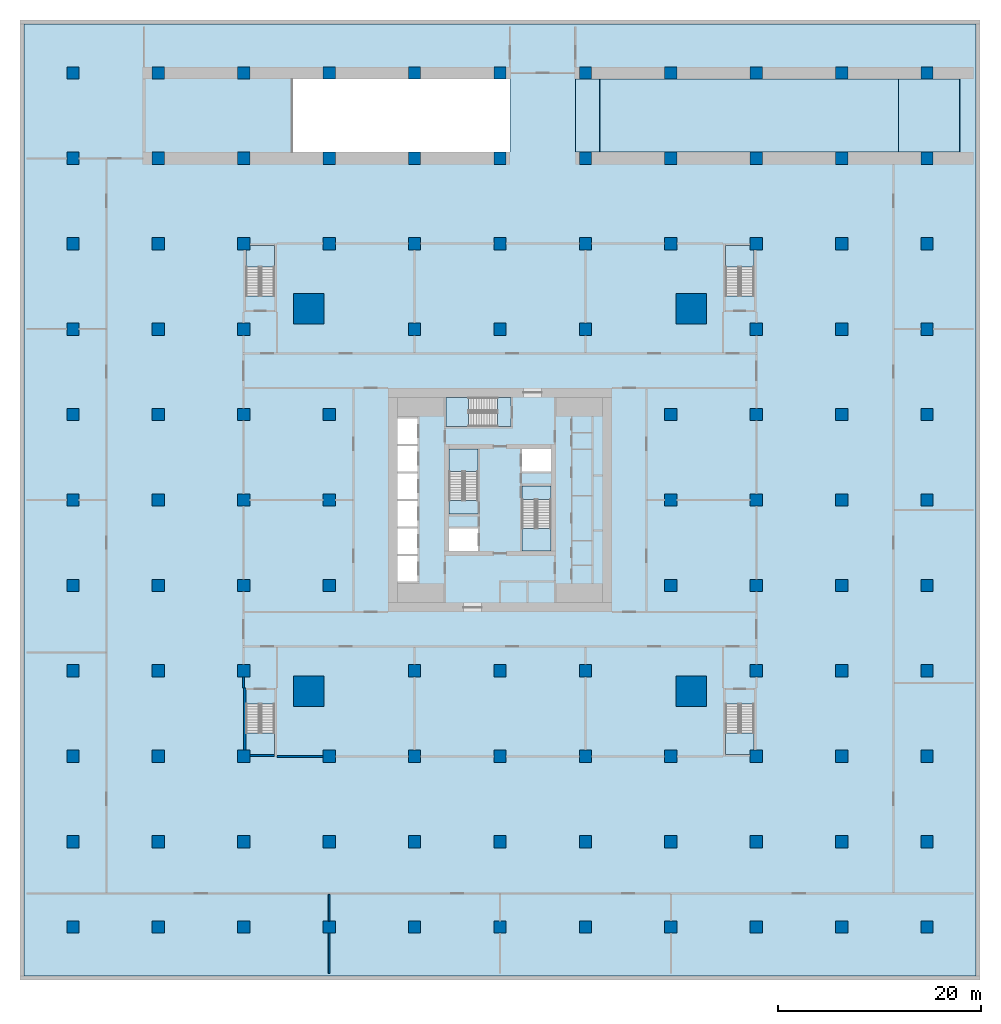
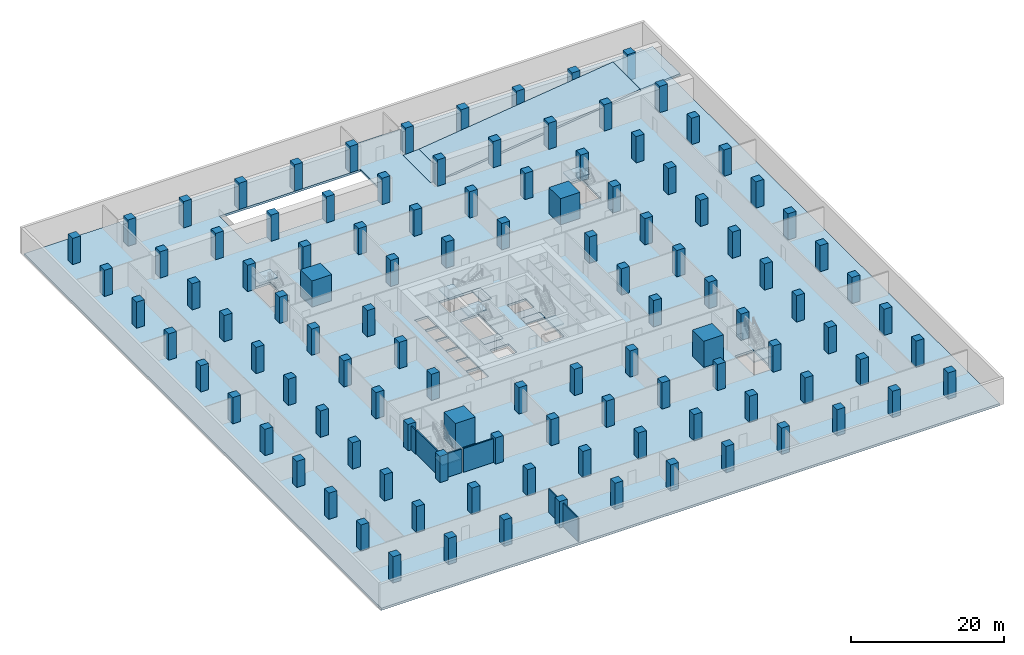
# One storey, part 1 of 16: 112 columns, 14 slabs, 6 walls, 7 elements without a shape of their own.
"""IFC4 building model written with IfcOpenShell, lengths in metres."""

from ifc_helpers import new_model, si_unit, direction, frame, frame_2d, origin, origin_2d, place, context, subcontext, project, spatial, polyline, rectangle, outline, extrude, material, layer, layer_set, material_profile, profile_set, type_object, element, aggregate, save


model = new_model("IFC4")

# Units and contexts
model_context = context("Model", 3, precision=1e-05, world=origin(), true_north=direction((0.0, 1.0)))
body_context = subcontext(model_context, "Body", "Model", "MODEL_VIEW")
ifc_project = project(units=[si_unit("LENGTHUNIT", "METRE"), si_unit("AREAUNIT", "SQUARE_METRE"), si_unit("VOLUMEUNIT", "CUBIC_METRE"), si_unit("PLANEANGLEUNIT", "RADIAN"), si_unit("MASSUNIT", "GRAM", prefix="KILO")], contexts=[model_context])

# Site, building, storey
site_placement = place(None, origin())
site = spatial("IfcSite", under=ifc_project, at=site_placement, CompositionType="ELEMENT")
building_placement = place(site_placement, origin())
building = spatial("IfcBuilding", under=site, at=building_placement, Name="Khepri Terraces", CompositionType="ELEMENT")
storey_placement = place(building_placement, frame((0.0, 0.0, -4.199951171875)))
storey = spatial("IfcBuildingStorey", under=building, at=storey_placement, Name="B1", CompositionType="ELEMENT", Elevation=-4.199951171875)

# Columns
ifc_material_1 = material(Name="Concrete C80/95", Category="concrete")
ifc_material_profile_1 = material_profile(ifc_material_1, rectangle(XDim=3.0, YDim=3.0, at=origin_2d()), Name="Concrete C80/95", Category="concrete")
ifc_profile_set_1 = profile_set([ifc_material_profile_1], Name="Concrete C80/95")
column_type_1 = type_object("IfcColumnType", Name="Mega column RC 3000x3000 C80/95", PredefinedType="COLUMN", material=ifc_profile_set_1)
for number, where, z_axis, x_axis, name in (
    (1, (18.800048828125, 18.800048828125, 0.0), (0.0, 0.0, 1.0), (1.0, 0.0, 0.0), "Mega column MEN B1"),
    (2, (18.800048828125, -18.800048828125, 0.0), (0.0, 0.0, 1.0), (1.0, 0.0, 0.0), "Mega column MES B1"),
    (3, (-18.800048828125, 18.800048828125, 0.0), (0.0, 0.0, 1.0), (1.0, 0.0, 0.0), "Mega column MWN B1"),
    (4, (-18.800048828125, -18.800048828125, 0.0), (0.0, 0.0, 1.0), (1.0, 0.0, 0.0), "Mega column MWS B1"),
):
    element("IfcColumn", number, at=place(storey_placement, frame(where, z_axis=z_axis, x_axis=x_axis)), inside=storey, type_object=column_type_1, Name=name, PredefinedType="COLUMN", context=body_context, shape_type="SweptSolid", body=[
        extrude(rectangle(XDim=3.0, YDim=3.0, at=origin_2d()), origin(), (0.0, 0.0, 1.0), 4.199951171875),
    ])
ifc_material_2 = material(Name="Concrete C60/75", Category="concrete")
ifc_material_profile_2 = material_profile(ifc_material_2, rectangle(XDim=1.199951171875, YDim=1.199951171875, at=origin_2d()), Name="Concrete C60/75", Category="concrete")
ifc_profile_set_2 = profile_set([ifc_material_profile_2], Name="Concrete C60/75")
column_type_2 = type_object("IfcColumnType", Name="Podium column RC 1200x1200 C60/75", PredefinedType="COLUMN", material=ifc_profile_set_2)
for number, where, z_axis, x_axis, name in (
    (5, (0.0, 16.800048828125, 0.0), (0.0, 0.0, 1.0), (1.0, 0.0, 0.0), "Podium column G+000+168 B1"),
    (6, (0.0, 33.60009765625, 0.0), (0.0, 0.0, 1.0), (1.0, 0.0, 0.0), "Podium column G+000+336 B1"),
    (7, (0.0, 42.0, 0.0), (0.0, 0.0, 1.0), (1.0, 0.0, 0.0), "Podium column G+000+420 B1"),
    (8, (0.0, -16.800048828125, 0.0), (0.0, 0.0, 1.0), (1.0, 0.0, 0.0), "Podium column G+000-168 B1"),
    (9, (0.0, -33.60009765625, 0.0), (0.0, 0.0, 1.0), (1.0, 0.0, 0.0), "Podium column G+000-336 B1"),
    (10, (0.0, -42.0, 0.0), (0.0, 0.0, 1.0), (1.0, 0.0, 0.0), "Podium column G+000-420 B1"),
    (11, (8.39990234375, 16.800048828125, 0.0), (0.0, 0.0, 1.0), (1.0, 0.0, 0.0), "Podium column G+084+168 B1"),
    (12, (8.39990234375, 33.60009765625, 0.0), (0.0, 0.0, 1.0), (1.0, 0.0, 0.0), "Podium column G+084+336 B1"),
    (13, (8.39990234375, 42.0, 0.0), (0.0, 0.0, 1.0), (1.0, 0.0, 0.0), "Podium column G+084+420 B1"),
    (14, (8.39990234375, -16.800048828125, 0.0), (0.0, 0.0, 1.0), (1.0, 0.0, 0.0), "Podium column G+084-168 B1"),
    (15, (8.39990234375, -33.60009765625, 0.0), (0.0, 0.0, 1.0), (1.0, 0.0, 0.0), "Podium column G+084-336 B1"),
    (16, (8.39990234375, -42.0, 0.0), (0.0, 0.0, 1.0), (1.0, 0.0, 0.0), "Podium column G+084-420 B1"),
    (17, (16.800048828125, 0.0, 0.0), (0.0, 0.0, 1.0), (1.0, 0.0, 0.0), "Podium column G+168+000 B1"),
    (18, (16.800048828125, 8.39990234375, 0.0), (0.0, 0.0, 1.0), (1.0, 0.0, 0.0), "Podium column G+168+084 B1"),
    (19, (16.800048828125, 33.60009765625, 0.0), (0.0, 0.0, 1.0), (1.0, 0.0, 0.0), "Podium column G+168+336 B1"),
    (20, (16.800048828125, 42.0, 0.0), (0.0, 0.0, 1.0), (1.0, 0.0, 0.0), "Podium column G+168+420 B1"),
    (21, (16.800048828125, -8.39990234375, 0.0), (0.0, 0.0, 1.0), (1.0, 0.0, 0.0), "Podium column G+168-084 B1"),
    (22, (16.800048828125, -33.60009765625, 0.0), (0.0, 0.0, 1.0), (1.0, 0.0, 0.0), "Podium column G+168-336 B1"),
    (23, (16.800048828125, -42.0, 0.0), (0.0, 0.0, 1.0), (1.0, 0.0, 0.0), "Podium column G+168-420 B1"),
    (24, (25.199951171875, 25.199951171875, 0.0), (0.0, 0.0, 1.0), (1.0, 0.0, 0.0), "Podium column G+252+252 B1"),
    (25, (25.199951171875, 33.60009765625, 0.0), (0.0, 0.0, 1.0), (1.0, 0.0, 0.0), "Podium column G+252+336 B1"),
    (26, (25.199951171875, 42.0, 0.0), (0.0, 0.0, 1.0), (1.0, 0.0, 0.0), "Podium column G+252+420 B1"),
    (27, (25.199951171875, -25.199951171875, 0.0), (0.0, 0.0, 1.0), (1.0, 0.0, 0.0), "Podium column G+252-252 B1"),
    (28, (25.199951171875, -33.60009765625, 0.0), (0.0, 0.0, 1.0), (1.0, 0.0, 0.0), "Podium column G+252-336 B1"),
    (29, (25.199951171875, -42.0, 0.0), (0.0, 0.0, 1.0), (1.0, 0.0, 0.0), "Podium column G+252-420 B1"),
    (30, (33.60009765625, 0.0, 0.0), (0.0, 0.0, 1.0), (1.0, 0.0, 0.0), "Podium column G+336+000 B1"),
    (31, (33.60009765625, 8.39990234375, 0.0), (0.0, 0.0, 1.0), (1.0, 0.0, 0.0), "Podium column G+336+084 B1"),
    (32, (33.60009765625, 16.800048828125, 0.0), (0.0, 0.0, 1.0), (1.0, 0.0, 0.0), "Podium column G+336+168 B1"),
    (33, (33.60009765625, 25.199951171875, 0.0), (0.0, 0.0, 1.0), (1.0, 0.0, 0.0), "Podium column G+336+252 B1"),
    (34, (33.60009765625, 33.60009765625, 0.0), (0.0, 0.0, 1.0), (1.0, 0.0, 0.0), "Podium column G+336+336 B1"),
    (35, (33.60009765625, 42.0, 0.0), (0.0, 0.0, 1.0), (1.0, 0.0, 0.0), "Podium column G+336+420 B1"),
    (36, (33.60009765625, -8.39990234375, 0.0), (0.0, 0.0, 1.0), (1.0, 0.0, 0.0), "Podium column G+336-084 B1"),
    (37, (33.60009765625, -16.800048828125, 0.0), (0.0, 0.0, 1.0), (1.0, 0.0, 0.0), "Podium column G+336-168 B1"),
    (38, (33.60009765625, -25.199951171875, 0.0), (0.0, 0.0, 1.0), (1.0, 0.0, 0.0), "Podium column G+336-252 B1"),
    (39, (33.60009765625, -33.60009765625, 0.0), (0.0, 0.0, 1.0), (1.0, 0.0, 0.0), "Podium column G+336-336 B1"),
    (40, (33.60009765625, -42.0, 0.0), (0.0, 0.0, 1.0), (1.0, 0.0, 0.0), "Podium column G+336-420 B1"),
    (41, (42.0, 0.0, 0.0), (0.0, 0.0, 1.0), (1.0, 0.0, 0.0), "Podium column G+420+000 B1"),
    (42, (42.0, 8.39990234375, 0.0), (0.0, 0.0, 1.0), (1.0, 0.0, 0.0), "Podium column G+420+084 B1"),
    (43, (42.0, 16.800048828125, 0.0), (0.0, 0.0, 1.0), (1.0, 0.0, 0.0), "Podium column G+420+168 B1"),
    (44, (42.0, 25.199951171875, 0.0), (0.0, 0.0, 1.0), (1.0, 0.0, 0.0), "Podium column G+420+252 B1"),
    (45, (42.0, 33.60009765625, 0.0), (0.0, 0.0, 1.0), (1.0, 0.0, 0.0), "Podium column G+420+336 B1"),
    (46, (42.0, 42.0, 0.0), (0.0, 0.0, 1.0), (1.0, 0.0, 0.0), "Podium column G+420+420 B1"),
    (47, (42.0, -8.39990234375, 0.0), (0.0, 0.0, 1.0), (1.0, 0.0, 0.0), "Podium column G+420-084 B1"),
    (48, (42.0, -16.800048828125, 0.0), (0.0, 0.0, 1.0), (1.0, 0.0, 0.0), "Podium column G+420-168 B1"),
    (49, (42.0, -25.199951171875, 0.0), (0.0, 0.0, 1.0), (1.0, 0.0, 0.0), "Podium column G+420-252 B1"),
    (50, (42.0, -33.60009765625, 0.0), (0.0, 0.0, 1.0), (1.0, 0.0, 0.0), "Podium column G+420-336 B1"),
    (51, (42.0, -42.0, 0.0), (0.0, 0.0, 1.0), (1.0, 0.0, 0.0), "Podium column G+420-420 B1"),
    (52, (-8.39990234375, 16.800048828125, 0.0), (0.0, 0.0, 1.0), (1.0, 0.0, 0.0), "Podium column G-084+168 B1"),
    (53, (-8.39990234375, 33.60009765625, 0.0), (0.0, 0.0, 1.0), (1.0, 0.0, 0.0), "Podium column G-084+336 B1"),
    (54, (-8.39990234375, 42.0, 0.0), (0.0, 0.0, 1.0), (1.0, 0.0, 0.0), "Podium column G-084+420 B1"),
    (55, (-8.39990234375, -16.800048828125, 0.0), (0.0, 0.0, 1.0), (1.0, 0.0, 0.0), "Podium column G-084-168 B1"),
    (56, (-8.39990234375, -33.60009765625, 0.0), (0.0, 0.0, 1.0), (1.0, 0.0, 0.0), "Podium column G-084-336 B1"),
    (57, (-8.39990234375, -42.0, 0.0), (0.0, 0.0, 1.0), (1.0, 0.0, 0.0), "Podium column G-084-420 B1"),
    (58, (-16.800048828125, 0.0, 0.0), (0.0, 0.0, 1.0), (1.0, 0.0, 0.0), "Podium column G-168+000 B1"),
    (59, (-16.800048828125, 8.39990234375, 0.0), (0.0, 0.0, 1.0), (1.0, 0.0, 0.0), "Podium column G-168+084 B1"),
    (60, (-16.800048828125, 33.60009765625, 0.0), (0.0, 0.0, 1.0), (1.0, 0.0, 0.0), "Podium column G-168+336 B1"),
    (61, (-16.800048828125, 42.0, 0.0), (0.0, 0.0, 1.0), (1.0, 0.0, 0.0), "Podium column G-168+420 B1"),
    (62, (-16.800048828125, -8.39990234375, 0.0), (0.0, 0.0, 1.0), (1.0, 0.0, 0.0), "Podium column G-168-084 B1"),
    (63, (-16.800048828125, -33.60009765625, 0.0), (0.0, 0.0, 1.0), (1.0, 0.0, 0.0), "Podium column G-168-336 B1"),
    (64, (-16.800048828125, -42.0, 0.0), (0.0, 0.0, 1.0), (1.0, 0.0, 0.0), "Podium column G-168-420 B1"),
    (65, (-25.199951171875, 25.199951171875, 0.0), (0.0, 0.0, 1.0), (1.0, 0.0, 0.0), "Podium column G-252+252 B1"),
    (66, (-25.199951171875, 33.60009765625, 0.0), (0.0, 0.0, 1.0), (1.0, 0.0, 0.0), "Podium column G-252+336 B1"),
    (67, (-25.199951171875, 42.0, 0.0), (0.0, 0.0, 1.0), (1.0, 0.0, 0.0), "Podium column G-252+420 B1"),
    (68, (-25.199951171875, -25.199951171875, 0.0), (0.0, 0.0, 1.0), (1.0, 0.0, 0.0), "Podium column G-252-252 B1"),
    (69, (-25.199951171875, -33.60009765625, 0.0), (0.0, 0.0, 1.0), (1.0, 0.0, 0.0), "Podium column G-252-336 B1"),
    (70, (-25.199951171875, -42.0, 0.0), (0.0, 0.0, 1.0), (1.0, 0.0, 0.0), "Podium column G-252-420 B1"),
    (71, (-33.60009765625, 0.0, 0.0), (0.0, 0.0, 1.0), (1.0, 0.0, 0.0), "Podium column G-336+000 B1"),
    (72, (-33.60009765625, 8.39990234375, 0.0), (0.0, 0.0, 1.0), (1.0, 0.0, 0.0), "Podium column G-336+084 B1"),
    (73, (-33.60009765625, 16.800048828125, 0.0), (0.0, 0.0, 1.0), (1.0, 0.0, 0.0), "Podium column G-336+168 B1"),
    (74, (-33.60009765625, 25.199951171875, 0.0), (0.0, 0.0, 1.0), (1.0, 0.0, 0.0), "Podium column G-336+252 B1"),
    (75, (-33.60009765625, 33.60009765625, 0.0), (0.0, 0.0, 1.0), (1.0, 0.0, 0.0), "Podium column G-336+336 B1"),
    (76, (-33.60009765625, 42.0, 0.0), (0.0, 0.0, 1.0), (1.0, 0.0, 0.0), "Podium column G-336+420 B1"),
    (77, (-33.60009765625, -8.39990234375, 0.0), (0.0, 0.0, 1.0), (1.0, 0.0, 0.0), "Podium column G-336-084 B1"),
    (78, (-33.60009765625, -16.800048828125, 0.0), (0.0, 0.0, 1.0), (1.0, 0.0, 0.0), "Podium column G-336-168 B1"),
    (79, (-33.60009765625, -25.199951171875, 0.0), (0.0, 0.0, 1.0), (1.0, 0.0, 0.0), "Podium column G-336-252 B1"),
    (80, (-33.60009765625, -33.60009765625, 0.0), (0.0, 0.0, 1.0), (1.0, 0.0, 0.0), "Podium column G-336-336 B1"),
    (81, (-33.60009765625, -42.0, 0.0), (0.0, 0.0, 1.0), (1.0, 0.0, 0.0), "Podium column G-336-420 B1"),
    (82, (-42.0, 0.0, 0.0), (0.0, 0.0, 1.0), (1.0, 0.0, 0.0), "Podium column G-420+000 B1"),
    (83, (-42.0, 8.39990234375, 0.0), (0.0, 0.0, 1.0), (1.0, 0.0, 0.0), "Podium column G-420+084 B1"),
    (84, (-42.0, 16.800048828125, 0.0), (0.0, 0.0, 1.0), (1.0, 0.0, 0.0), "Podium column G-420+168 B1"),
    (85, (-42.0, 25.199951171875, 0.0), (0.0, 0.0, 1.0), (1.0, 0.0, 0.0), "Podium column G-420+252 B1"),
    (86, (-42.0, 33.60009765625, 0.0), (0.0, 0.0, 1.0), (1.0, 0.0, 0.0), "Podium column G-420+336 B1"),
    (87, (-42.0, 42.0, 0.0), (0.0, 0.0, 1.0), (1.0, 0.0, 0.0), "Podium column G-420+420 B1"),
    (88, (-42.0, -8.39990234375, 0.0), (0.0, 0.0, 1.0), (1.0, 0.0, 0.0), "Podium column G-420-084 B1"),
    (89, (-42.0, -16.800048828125, 0.0), (0.0, 0.0, 1.0), (1.0, 0.0, 0.0), "Podium column G-420-168 B1"),
    (90, (-42.0, -25.199951171875, 0.0), (0.0, 0.0, 1.0), (1.0, 0.0, 0.0), "Podium column G-420-252 B1"),
    (91, (-42.0, -33.60009765625, 0.0), (0.0, 0.0, 1.0), (1.0, 0.0, 0.0), "Podium column G-420-336 B1"),
    (92, (-42.0, -42.0, 0.0), (0.0, 0.0, 1.0), (1.0, 0.0, 0.0), "Podium column G-420-420 B1"),
):
    element("IfcColumn", number, at=place(storey_placement, frame(where, z_axis=z_axis, x_axis=x_axis)), inside=storey, type_object=column_type_2, Name=name, PredefinedType="COLUMN", context=body_context, shape_type="SweptSolid", body=[
        extrude(rectangle(XDim=1.199951171875, YDim=1.199951171875, at=origin_2d()), origin(), (0.0, 0.0, 1.0), 4.199951171875),
    ])
ifc_material_profile_3 = material_profile(ifc_material_1, rectangle(XDim=1.199951171875, YDim=1.199951171875, at=origin_2d()), Name="Concrete C80/95", Category="concrete")
ifc_profile_set_3 = profile_set([ifc_material_profile_3], Name="Concrete C80/95")
column_type_3 = type_object("IfcColumnType", Name="Tower column RC 1200x1200 C80/95", PredefinedType="COLUMN", material=ifc_profile_set_3)
for number, where, z_axis, x_axis, name in (
    (93, (25.199951171875, 0.0, 0.0), (0.0, 0.0, 1.0), (1.0, 0.0, 0.0), "Perimeter column PE+000a B1"),
    (94, (25.199951171875, 8.39990234375, 0.0), (0.0, 0.0, 1.0), (1.0, 0.0, 0.0), "Perimeter column PE+084a B1"),
    (95, (25.199951171875, 16.800048828125, 0.0), (0.0, 0.0, 1.0), (1.0, 0.0, 0.0), "Perimeter column PE+168a B1"),
    (96, (25.199951171875, -8.39990234375, 0.0), (0.0, 0.0, 1.0), (1.0, 0.0, 0.0), "Perimeter column PE-084a B1"),
    (97, (25.199951171875, -16.800048828125, 0.0), (0.0, 0.0, 1.0), (1.0, 0.0, 0.0), "Perimeter column PE-168a B1"),
    (98, (0.0, 25.199951171875, 0.0), (0.0, 0.0, 1.0), (1.0, 0.0, 0.0), "Perimeter column PN+000a B1"),
    (99, (-8.39990234375, 25.199951171875, 0.0), (0.0, 0.0, 1.0), (1.0, 0.0, 0.0), "Perimeter column PN+084a B1"),
    (100, (-16.800048828125, 25.199951171875, 0.0), (0.0, 0.0, 1.0), (1.0, 0.0, 0.0), "Perimeter column PN+168a B1"),
    (101, (8.39990234375, 25.199951171875, 0.0), (0.0, 0.0, 1.0), (1.0, 0.0, 0.0), "Perimeter column PN-084a B1"),
    (102, (16.800048828125, 25.199951171875, 0.0), (0.0, 0.0, 1.0), (1.0, 0.0, 0.0), "Perimeter column PN-168a B1"),
    (103, (0.0, -25.199951171875, 0.0), (0.0, 0.0, 1.0), (1.0, 0.0, 0.0), "Perimeter column PS+000a B1"),
    (104, (8.39990234375, -25.199951171875, 0.0), (0.0, 0.0, 1.0), (1.0, 0.0, 0.0), "Perimeter column PS+084a B1"),
    (105, (16.800048828125, -25.199951171875, 0.0), (0.0, 0.0, 1.0), (1.0, 0.0, 0.0), "Perimeter column PS+168a B1"),
    (106, (-8.39990234375, -25.199951171875, 0.0), (0.0, 0.0, 1.0), (1.0, 0.0, 0.0), "Perimeter column PS-084a B1"),
    (107, (-16.800048828125, -25.199951171875, 0.0), (0.0, 0.0, 1.0), (1.0, 0.0, 0.0), "Perimeter column PS-168a B1"),
    (108, (-25.199951171875, 0.0, 0.0), (0.0, 0.0, 1.0), (1.0, 0.0, 0.0), "Perimeter column PW+000a B1"),
    (109, (-25.199951171875, -8.39990234375, 0.0), (0.0, 0.0, 1.0), (1.0, 0.0, 0.0), "Perimeter column PW+084a B1"),
    (110, (-25.199951171875, -16.800048828125, 0.0), (0.0, 0.0, 1.0), (1.0, 0.0, 0.0), "Perimeter column PW+168a B1"),
    (111, (-25.199951171875, 8.39990234375, 0.0), (0.0, 0.0, 1.0), (1.0, 0.0, 0.0), "Perimeter column PW-084a B1"),
    (112, (-25.199951171875, 16.800048828125, 0.0), (0.0, 0.0, 1.0), (1.0, 0.0, 0.0), "Perimeter column PW-168a B1"),
):
    element("IfcColumn", number, at=place(storey_placement, frame(where, z_axis=z_axis, x_axis=x_axis)), inside=storey, type_object=column_type_3, Name=name, PredefinedType="COLUMN", context=body_context, shape_type="SweptSolid", body=[
        extrude(rectangle(XDim=1.199951171875, YDim=1.199951171875, at=origin_2d()), origin(), (0.0, 0.0, 1.0), 4.199951171875),
    ])

# Slab
ifc_material_3 = material(Name="Concrete C40/50", Category="concrete")
ifc_layer_1 = layer(ifc_material_3, 0.35009765625, Name="Concrete C40/50", Category="concrete")
ifc_layer_set_1 = layer_set([ifc_layer_1], Name="Concrete C40/50")
slab_type_1 = type_object("IfcSlabType", Name="Car park floor slab 350", PredefinedType="FLOOR", material=ifc_layer_set_1)
slab_1_placement = place(storey_placement, frame((0.0, 0.0, -0.35009765625)))
element("IfcSlab", 113, at=slab_1_placement, inside=storey, type_object=slab_type_1, Name="Floor slab F01 B1", PredefinedType="FLOOR", context=body_context, shape_type="SweptSolid", body=[
    extrude(outline(polyline([(-46.800048828125, -46.800048828125), (-46.800048828125, 46.800048828125), (46.800048828125, 46.800048828125), (46.800048828125, -46.800048828125), (-46.800048828125, -46.800048828125)]), holes=[polyline([(5.0, 5.0), (2.14990234375, 5.0), (2.14990234375, 2.800048828125), (5.0, 2.800048828125), (5.0, 5.0)]), polyline([(-2.14990234375, -5.0), (-2.14990234375, -2.800048828125), (-5.0, -2.800048828125), (-5.0, -5.0), (-2.14990234375, -5.0)]), polyline([(-10.10009765625, -8.0), (-8.10009765625, -8.0), (-8.10009765625, -5.5), (-10.10009765625, -5.5), (-10.10009765625, -8.0)]), polyline([(-10.10009765625, -2.800048828125), (-10.10009765625, -5.300048828125), (-8.10009765625, -5.300048828125), (-8.10009765625, -2.800048828125), (-10.10009765625, -2.800048828125)]), polyline([(-8.10009765625, -0.10009765625), (-10.10009765625, -0.10009765625), (-10.10009765625, -2.60009765625), (-8.10009765625, -2.60009765625), (-8.10009765625, -0.10009765625)]), polyline([(-8.10009765625, 0.10009765625), (-8.10009765625, 2.60009765625), (-10.10009765625, 2.60009765625), (-10.10009765625, 0.10009765625), (-8.10009765625, 0.10009765625)]), polyline([(-10.10009765625, 2.800048828125), (-8.10009765625, 2.800048828125), (-8.10009765625, 5.300048828125), (-10.10009765625, 5.300048828125), (-10.10009765625, 2.800048828125)]), polyline([(-10.10009765625, 8.0), (-10.10009765625, 5.5), (-8.10009765625, 5.5), (-8.10009765625, 8.0), (-10.10009765625, 8.0)]), polyline([(-2.14990234375, 5.0), (-5.0, 5.0), (-5.0, -1.39990234375), (-2.14990234375, -1.39990234375), (-2.14990234375, 5.0)]), polyline([(2.14990234375, 1.39990234375), (2.14990234375, -5.0), (5.0, -5.0), (5.0, 1.39990234375), (2.14990234375, 1.39990234375)]), polyline([(1.10009765625, 7.25), (1.10009765625, 10.10009765625), (-5.300048828125, 10.10009765625), (-5.300048828125, 7.25), (1.10009765625, 7.25)]), polyline([(25.0, 20.050537109375), (25.0, 25.0400390625), (22.14990234375, 25.0400390625), (22.14990234375, 20.050537109375), (25.0, 20.050537109375)]), polyline([(-25.0, 20.050537109375), (-22.14990234375, 20.050537109375), (-22.14990234375, 25.0400390625), (-25.0, 25.0400390625), (-25.0, 20.050537109375)]), polyline([(25.0, -25.0400390625), (25.0, -20.050537109375), (22.14990234375, -20.050537109375), (22.14990234375, -25.0400390625), (25.0, -25.0400390625)]), polyline([(-25.0, -25.0400390625), (-22.14990234375, -25.0400390625), (-22.14990234375, -20.050537109375), (-25.0, -20.050537109375), (-25.0, -25.0400390625)]), polyline([(7.39990234375, 41.39990234375), (7.39990234375, 34.199951171875), (11.5, 34.199951171875), (11.5, 41.39990234375), (7.39990234375, 41.39990234375)]), polyline([(1.0, 41.39990234375), (-20.39990234375, 41.39990234375), (-20.39990234375, 34.199951171875), (1.0, 34.199951171875), (1.0, 41.39990234375)])]), origin(), (0.0, 0.0, 1.0), 0.35009765625),
])

# Stair, slab
stair_type_1 = type_object("IfcStairType", Name="ST-POD", PredefinedType="HALF_TURN_STAIR", material=ifc_material_3)
stair_1_placement = place(storey_placement, origin())
stair_1 = element("IfcStair", 114, at=stair_1_placement, inside=storey, type_object=stair_type_1, Name="B1 Exit Stair PS-1", PredefinedType="HALF_TURN_STAIR")
ifc_layer_2 = layer(ifc_material_3, 0.199951171875, Name="Concrete C40/50", Category="concrete")
ifc_layer_set_2 = layer_set([ifc_layer_2], Name="Concrete C40/50")
slab_type_2 = type_object("IfcSlabType", Name="SL-POD", PredefinedType="LANDING", material=ifc_layer_set_2)
slab_2_placement = place(storey_placement, frame((0.0, 0.0, 1.89990234375)))
slab_2 = element("IfcSlab", 115, at=slab_2_placement, type_object=slab_type_2, Name="PS-1 landing 1", PredefinedType="LANDING", context=body_context, shape_type="SweptSolid", body=[
    extrude(outline(polyline([(25.0, 22.909912109375), (25.0, 25.0400390625), (22.14990234375, 25.0400390625), (22.14990234375, 22.909912109375), (25.0, 22.909912109375)])), origin(), (0.0, 0.0, 1.0), 0.199951171875),
])
aggregate(stair_1, [slab_2])

stair_2_placement = place(storey_placement, origin())
stair_2 = element("IfcStair", 116, at=stair_2_placement, inside=storey, type_object=stair_type_1, Name="B1 Exit Stair PS-2", PredefinedType="HALF_TURN_STAIR")
slab_3_placement = place(storey_placement, frame((0.0, 0.0, 1.89990234375)))
slab_3 = element("IfcSlab", 117, at=slab_3_placement, type_object=slab_type_2, Name="PS-2 landing 1", PredefinedType="LANDING", context=body_context, shape_type="SweptSolid", body=[
    extrude(outline(polyline([(-22.14990234375, 22.909912109375), (-22.14990234375, 25.0400390625), (-25.0, 25.0400390625), (-25.0, 22.909912109375), (-22.14990234375, 22.909912109375)])), origin(), (0.0, 0.0, 1.0), 0.199951171875),
])
aggregate(stair_2, [slab_3])

stair_3_placement = place(storey_placement, origin())
stair_3 = element("IfcStair", 118, at=stair_3_placement, inside=storey, type_object=stair_type_1, Name="B1 Exit Stair PS-3", PredefinedType="HALF_TURN_STAIR")
slab_4_placement = place(storey_placement, frame((0.0, 0.0, 1.89990234375)))
slab_4 = element("IfcSlab", 119, at=slab_4_placement, type_object=slab_type_2, Name="PS-3 landing 1", PredefinedType="LANDING", context=body_context, shape_type="SweptSolid", body=[
    extrude(outline(polyline([(22.14990234375, -22.909912109375), (22.14990234375, -25.0400390625), (25.0, -25.0400390625), (25.0, -22.909912109375), (22.14990234375, -22.909912109375)])), origin(), (0.0, 0.0, 1.0), 0.199951171875),
])
aggregate(stair_3, [slab_4])

stair_4_placement = place(storey_placement, origin())
stair_4 = element("IfcStair", 120, at=stair_4_placement, inside=storey, type_object=stair_type_1, Name="B1 Exit Stair PS-4", PredefinedType="HALF_TURN_STAIR")
slab_5_placement = place(storey_placement, frame((0.0, 0.0, 1.89990234375)))
slab_5 = element("IfcSlab", 121, at=slab_5_placement, type_object=slab_type_2, Name="PS-4 landing 1", PredefinedType="LANDING", context=body_context, shape_type="SweptSolid", body=[
    extrude(outline(polyline([(-25.0, -22.909912109375), (-25.0, -25.0400390625), (-22.14990234375, -25.0400390625), (-22.14990234375, -22.909912109375), (-25.0, -22.909912109375)])), origin(), (0.0, 0.0, 1.0), 0.199951171875),
])
aggregate(stair_4, [slab_5])

# Slabs
ifc_layer_3 = layer(ifc_material_3, 0.300048828125, Name="Concrete C40/50", Category="concrete")
ifc_layer_set_3 = layer_set([ifc_layer_3], Name="Concrete C40/50")
slab_type_3 = type_object("IfcSlabType", Name="SL-POD-RAMP", PredefinedType="USERDEFINED", material=ifc_layer_set_3)
slab_6_placement = place(storey_placement, frame((45.199951171875, 34.199951171875, 4.199951171875), z_axis=(-0.062378286155, 0.0, 0.998052578483), x_axis=(-0.998052578483, 0.0, -0.062378286155)))
element("IfcSlab", 122, at=slab_6_placement, inside=storey, type_object=slab_type_3, Name="Car park ramp R1 E-T1", ObjectType="VEHICLE RAMP SLAB", PredefinedType="USERDEFINED", context=body_context, shape_type="SweptSolid", body=[
    extrude(outline(polyline([(0.0, 0.0), (6.0117073282055244, 0.0), (6.0117073282055244, -7.199951171875), (0.0, -7.199951171875), (0.0, 0.0)])), origin(), (0.0, 0.0, -1.0), 0.300048828125),
])
slab_7_placement = place(storey_placement, frame((39.199951171875, 34.199951171875, 3.824951171875), z_axis=(-0.124036762897, 0.0, 0.992277623173), x_axis=(-0.992277623173, 0.0, -0.124036762897)))
element("IfcSlab", 123, at=slab_7_placement, inside=storey, type_object=slab_type_3, Name="Car park ramp R1 E-RUN", ObjectType="VEHICLE RAMP SLAB", PredefinedType="USERDEFINED", context=body_context, shape_type="SweptSolid", body=[
    extrude(outline(polyline([(0.0, 0.0), (29.628706379306198, 0.0), (29.628706379306198, -7.199951171875), (0.0, -7.199951171875), (0.0, 0.0)])), origin(), (0.0, 0.0, -1.0), 0.300048828125),
])
slab_8_placement = place(storey_placement, frame((9.800048828125, 34.199951171875, 0.14990234375), z_axis=(-0.062334043373, 0.0, 0.998055342672), x_axis=(-0.998055342672, 0.0, -0.062334043373)))
element("IfcSlab", 124, at=slab_8_placement, inside=storey, type_object=slab_type_3, Name="Car park ramp R1 E-T2", ObjectType="VEHICLE RAMP SLAB", PredefinedType="USERDEFINED", context=body_context, shape_type="SweptSolid", body=[
    extrude(outline(polyline([(0.0, 0.0), (2.4048230411236946, 0.0), (2.4048230411236946, -7.199951171874999), (0.0, -7.199951171874999), (0.0, 0.0)])), origin(), (0.0, 0.0, -1.0), 0.300048828125),
])

# Stair, slabs
stair_type_2 = type_object("IfcStairType", Name="STAIR-RC-24R", PredefinedType="HALF_TURN_STAIR", material=ifc_material_3)
stair_5_placement = place(storey_placement, origin())
stair_5 = element("IfcStair", 125, at=stair_5_placement, inside=storey, type_object=stair_type_2, Name="B1 Exit Stair ST-1", PredefinedType="HALF_TURN_STAIR")
ifc_layer_4 = layer(ifc_material_3, 0.199951171875, Name="Concrete C40/50", Category="concrete")
ifc_layer_set_4 = layer_set([ifc_layer_4], Name="Concrete C40/50")
slab_type_4 = type_object("IfcSlabType", Name="SLB-CORE-LANDING", PredefinedType="LANDING", material=ifc_layer_set_4)
slab_9_placement = place(storey_placement, frame((0.0, 0.0, -0.199951171875)))
slab_9 = element("IfcSlab", 126, at=slab_9_placement, type_object=slab_type_4, Name="ST-1 landing 1", PredefinedType="LANDING", context=body_context, shape_type="SweptSolid", body=[
    extrude(outline(polyline([(-2.14990234375, -1.39990234375), (-2.14990234375, -0.050048828125), (-5.0, -0.050048828125), (-5.0, -1.39990234375), (-2.14990234375, -1.39990234375)])), origin(), (0.0, 0.0, 1.0), 0.199951171875),
])
slab_10_placement = place(storey_placement, frame((0.0, 0.0, 1.89990234375)))
slab_10 = element("IfcSlab", 127, at=slab_10_placement, type_object=slab_type_4, Name="ST-1 landing 2", PredefinedType="LANDING", context=body_context, shape_type="SweptSolid", body=[
    extrude(outline(polyline([(-2.14990234375, 2.81005859375), (-2.14990234375, 5.0), (-5.0, 5.0), (-5.0, 2.81005859375), (-2.14990234375, 2.81005859375)])), origin(), (0.0, 0.0, 1.0), 0.199951171875),
])
aggregate(stair_5, [slab_9, slab_10])

stair_6_placement = place(storey_placement, origin())
stair_6 = element("IfcStair", 128, at=stair_6_placement, inside=storey, type_object=stair_type_2, Name="B1 Exit Stair ST-2", PredefinedType="HALF_TURN_STAIR")
slab_11_placement = place(storey_placement, frame((0.0, 0.0, -0.199951171875)))
slab_11 = element("IfcSlab", 129, at=slab_11_placement, type_object=slab_type_4, Name="ST-2 landing 1", PredefinedType="LANDING", context=body_context, shape_type="SweptSolid", body=[
    extrude(outline(polyline([(2.14990234375, 1.39990234375), (2.14990234375, 0.050048828125), (5.0, 0.050048828125), (5.0, 1.39990234375), (2.14990234375, 1.39990234375)])), origin(), (0.0, 0.0, 1.0), 0.199951171875),
])
slab_12_placement = place(storey_placement, frame((0.0, 0.0, 1.89990234375)))
slab_12 = element("IfcSlab", 130, at=slab_12_placement, type_object=slab_type_4, Name="ST-2 landing 2", PredefinedType="LANDING", context=body_context, shape_type="SweptSolid", body=[
    extrude(outline(polyline([(2.14990234375, -2.81005859375), (2.14990234375, -5.0), (5.0, -5.0), (5.0, -2.81005859375), (2.14990234375, -2.81005859375)])), origin(), (0.0, 0.0, 1.0), 0.199951171875),
])
aggregate(stair_6, [slab_11, slab_12])

stair_7_placement = place(storey_placement, origin())
stair_7 = element("IfcStair", 131, at=stair_7_placement, inside=storey, type_object=stair_type_2, Name="B1 Exit Stair ST-3", PredefinedType="HALF_TURN_STAIR")
slab_13_placement = place(storey_placement, frame((0.0, 0.0, -0.199951171875)))
slab_13 = element("IfcSlab", 132, at=slab_13_placement, type_object=slab_type_4, Name="ST-3 landing 1", PredefinedType="LANDING", context=body_context, shape_type="SweptSolid", body=[
    extrude(outline(polyline([(1.10009765625, 10.10009765625), (-0.25, 10.10009765625), (-0.25, 7.25), (1.10009765625, 7.25), (1.10009765625, 10.10009765625)])), origin(), (0.0, 0.0, 1.0), 0.199951171875),
])
slab_14_placement = place(storey_placement, frame((0.0, 0.0, 1.89990234375)))
slab_14 = element("IfcSlab", 133, at=slab_14_placement, type_object=slab_type_4, Name="ST-3 landing 2", PredefinedType="LANDING", context=body_context, shape_type="SweptSolid", body=[
    extrude(outline(polyline([(-3.110107421875, 10.10009765625), (-5.300048828125, 10.10009765625), (-5.300048828125, 7.25), (-3.110107421875, 7.25), (-3.110107421875, 10.10009765625)])), origin(), (0.0, 0.0, 1.0), 0.199951171875),
])
aggregate(stair_7, [slab_13, slab_14])

# Walls
ifc_material_4 = material(Name="Gypsum board partition")
ifc_layer_5 = layer(ifc_material_4, 0.14990234375, Name="Gypsum board partition")
ifc_layer_set_5 = layer_set([ifc_layer_5], Name="Gypsum board partition")
wall_type_1 = type_object("IfcWallType", Name="WL-POD-150", PredefinedType="PARTITIONING", material=ifc_layer_set_5)
wall_1_placement = place(storey_placement, frame((-16.800048828125, -46.550048828125, 0.0), z_axis=(0.0, 0.0, 1.0), x_axis=(0.0, 1.0, 0.0)))
element("IfcWall", 134, at=wall_1_placement, inside=storey, type_object=wall_type_1, Name="Partition B1-PW076", PredefinedType="PARTITIONING", context=body_context, shape_type="SweptSolid", body=[
    extrude(rectangle(XDim=3.949951171875, YDim=0.14990234375, at=frame_2d((1.97509765625, 0.0))), origin(), (0.0, 0.0, 1.0), 3.780029296875),
])
wall_2_placement = place(storey_placement, frame((-16.800048828125, -41.39990234375, 0.0), z_axis=(0.0, 0.0, 1.0), x_axis=(0.0, 1.0, 0.0)))
element("IfcWall", 135, at=wall_2_placement, inside=storey, type_object=wall_type_1, Name="Partition B1-PW077", PredefinedType="PARTITIONING", context=body_context, shape_type="SweptSolid", body=[
    extrude(rectangle(XDim=2.625, YDim=0.14990234375, at=frame_2d((1.3125, 0.0))), origin(), (0.0, 0.0, 1.0), 3.780029296875),
])
ifc_material_5 = material(Name="Fire-rated block wall")
ifc_layer_6 = layer(ifc_material_5, 0.199951171875, Name="Fire-rated block wall")
ifc_layer_set_6 = layer_set([ifc_layer_6], Name="Fire-rated block wall")
wall_type_2 = type_object("IfcWallType", Name="WL-POD-200-EI120", PredefinedType="PARTITIONING", material=ifc_layer_set_6)
wall_3_placement = place(storey_placement, frame((-21.949951171875, -25.199951171875, 0.0), z_axis=(0.0, 0.0, 1.0), x_axis=(1.0, 0.0, 0.0)))
element("IfcWall", 136, at=wall_3_placement, inside=storey, type_object=wall_type_2, Name="Partition B1-PW003", PredefinedType="PARTITIONING", context=body_context, shape_type="SweptSolid", body=[
    extrude(rectangle(XDim=4.550048828125, YDim=0.199951171875, at=frame_2d((2.27490234375, 0.0))), origin(), (0.0, 0.0, 1.0), 3.780029296875),
])
wall_4_placement = place(storey_placement, frame((-25.199951171875, -18.5, 0.0), z_axis=(0.0, 0.0, 1.0), x_axis=(0.0, 1.0, 0.0)))
element("IfcWall", 137, at=wall_4_placement, inside=storey, type_object=wall_type_2, Name="Partition B1-PW064", PredefinedType="PARTITIONING", context=body_context, shape_type="SweptSolid", body=[
    extrude(rectangle(XDim=1.10009765625, YDim=0.199951171875, at=frame_2d((0.550048828125, 0.0))), origin(), (0.0, 0.0, 1.0), 3.780029296875),
])
ifc_layer_7 = layer(ifc_material_3, 0.199951171875, Name="Concrete C40/50", Category="concrete")
ifc_layer_set_7 = layer_set([ifc_layer_7], Name="Concrete C40/50")
wall_type_3 = type_object("IfcWallType", Name="WL-POD-STAIR-200", PredefinedType="SOLIDWALL", material=ifc_layer_set_7)
wall_5_placement = place(storey_placement, frame((-25.10009765625, -24.60009765625, 0.0), z_axis=(0.0, 0.0, 1.0), x_axis=(0.0, 1.0, 0.0)))
element("IfcWall", 138, at=wall_5_placement, inside=storey, type_object=wall_type_3, Name="Stair enclosure PS-4 B1-W", PredefinedType="SOLIDWALL", context=body_context, shape_type="SweptSolid", body=[
    extrude(rectangle(XDim=6.10009765625, YDim=0.199951171875, at=frame_2d((3.050048828125, 0.0))), origin(), (0.0, 0.0, 1.0), 3.780029296875),
])
wall_6_placement = place(storey_placement, frame((-24.60009765625, -25.139892578125, 0.0), z_axis=(0.0, 0.0, 1.0), x_axis=(1.0, 0.0, 0.0)))
element("IfcWall", 139, at=wall_6_placement, inside=storey, type_object=wall_type_3, Name="Stair enclosure PS-4 B1-S", PredefinedType="SOLIDWALL", context=body_context, shape_type="SweptSolid", body=[
    extrude(rectangle(XDim=2.4501953125, YDim=0.199951171875, at=frame_2d((1.22509765625, 0.0))), origin(), (0.0, 0.0, 1.0), 3.780029296875),
])

save(model, "model.ifc")
